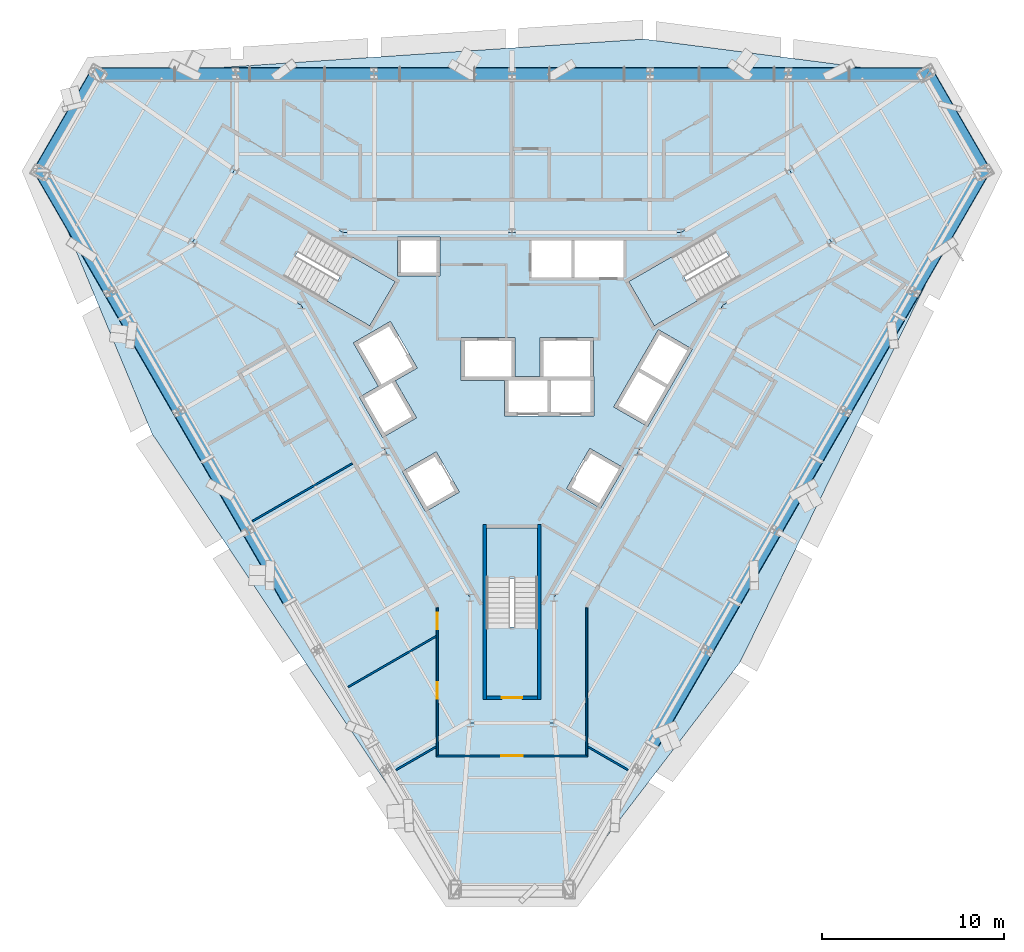
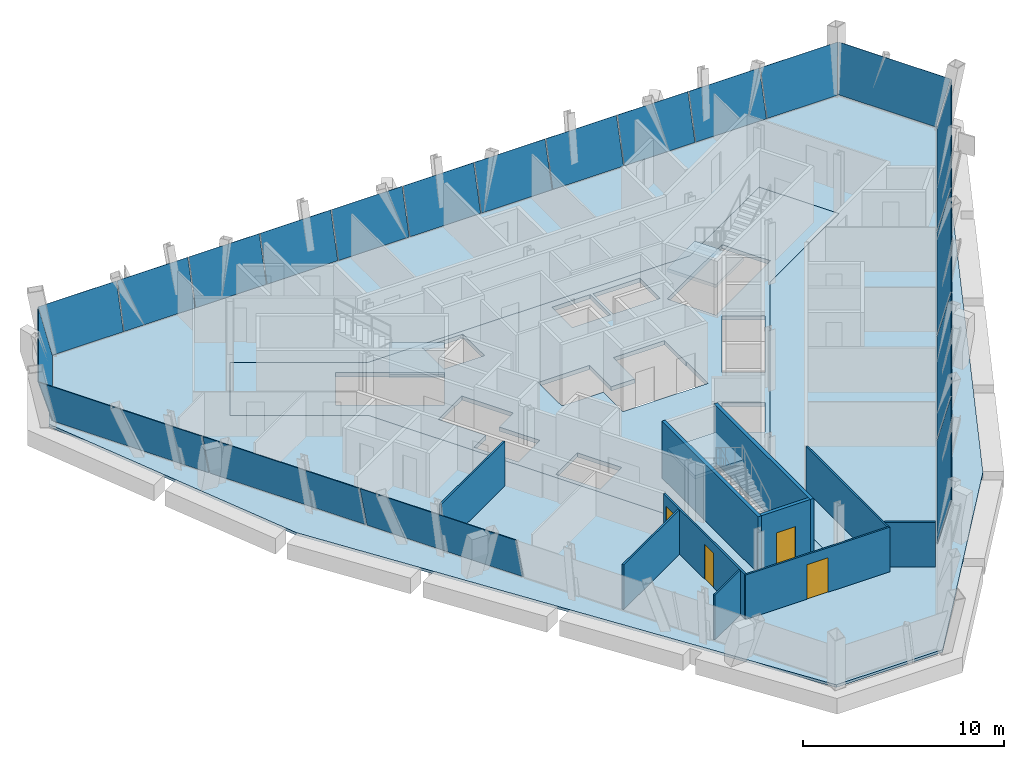
# One storey, part 5 of 11: 20 plates, 10 walls, 5 slabs, 4 doors, 4 openings, 8 elements without a shape of their own.
"""IFC4 building model written with IfcOpenShell, lengths in metres."""

from ifc_helpers import new_model, si_unit, direction, frame, frame_2d, origin, place, context, subcontext, project, spatial, polyline, rectangle, outline, extrude, material, layer, layer_set, type_object, element, fill, aggregate, save


model = new_model("IFC4")

# Units and contexts
model_context = context("Model", 3, precision=1e-05, world=origin(), true_north=direction((0.0, 1.0)))
body_context = subcontext(model_context, "Body", "Model", "MODEL_VIEW")
ifc_project = project(units=[si_unit("LENGTHUNIT", "METRE"), si_unit("AREAUNIT", "SQUARE_METRE"), si_unit("VOLUMEUNIT", "CUBIC_METRE"), si_unit("PLANEANGLEUNIT", "RADIAN"), si_unit("MASSUNIT", "GRAM", prefix="KILO")], contexts=[model_context])

# Site, building, storey
site_placement = place(None, origin())
site = spatial("IfcSite", under=ifc_project, at=site_placement, CompositionType="ELEMENT")
building_placement = place(site_placement, origin())
building = spatial("IfcBuilding", under=site, at=building_placement, Name="Verrane Prism Tower", CompositionType="ELEMENT")
storey_placement = place(building_placement, frame((0.0, 0.0, 156.199951171875)))
storey = spatial("IfcBuildingStorey", under=building, at=storey_placement, Name="L38", CompositionType="ELEMENT", Elevation=156.199951171875)

# Slabs
ifc_material_1 = material(Name="Concrete C35/45", Category="concrete")
ifc_layer_1 = layer(ifc_material_1, 0.159912109375)
ifc_layer_set_1 = layer_set([ifc_layer_1], Name="Composite floor slab")
slab_type_1 = type_object("IfcSlabType", Name="Composite floor slab", PredefinedType="FLOOR", material=ifc_layer_set_1)
slab_1_placement = place(storey_placement, frame((0.0, 0.0, -0.159912109375)))
element("IfcSlab", 1, at=slab_1_placement, inside=storey, type_object=slab_type_1, Name="Floor slab L38", PredefinedType="FLOOR", context=body_context, shape_type="SweptSolid", body=[
    extrude(outline(polyline([(12.493896484375, -15.580078125), (3.06298828125, -27.914794921875), (-3.06298828125, -27.914794921875), (-19.73974609375, -3.02978515625), (-25.706298828125, 11.3046875), (-22.643310546875, 16.610107421875), (7.245849609375, 18.610107421875), (22.643310546875, 16.610107421875), (25.706298828125, 11.3046875), (12.493896484375, -15.580078125)]), holes=[polyline([(17.52001953125, 7.4599609375), (15.219970703125, 11.43994140625), (9.260009765625, 8.0), (0.0, 8.0), (-9.260009765625, 8.0), (-15.219970703125, 11.43994140625), (-17.52001953125, 7.4599609375), (-11.56005859375, 4.02001953125), (-6.929931640625, -4.0), (-2.300048828125, -12.02001953125), (-2.300048828125, -18.89990234375), (2.300048828125, -18.89990234375), (2.300048828125, -12.02001953125), (6.929931640625, -4.0), (11.56005859375, 4.02001953125), (17.52001953125, 7.4599609375)])]), origin(), (0.0, 0.0, 1.0), 0.159912109375),
])
ifc_material_2 = material(Name="Concrete C40/50", Category="concrete")
ifc_layer_2 = layer(ifc_material_2, 0.25)
ifc_layer_set_2 = layer_set([ifc_layer_2], Name="Core floor slab 250 concrete C40/50")
slab_type_2 = type_object("IfcSlabType", Name="Core floor slab 250 concrete C40/50", PredefinedType="FLOOR", material=ifc_layer_set_2)
slab_2_placement = place(storey_placement, frame((0.0, 0.0, -0.25)))
element("IfcSlab", 2, at=slab_2_placement, inside=storey, type_object=slab_type_2, Name="Core floor L38", PredefinedType="FLOOR", context=body_context, shape_type="SweptSolid", body=[
    extrude(outline(polyline([(11.56005859375, 4.02001953125), (17.52001953125, 7.4599609375), (15.219970703125, 11.43994140625), (9.260009765625, 8.0), (0.0, 8.0), (-9.260009765625, 8.0), (-15.219970703125, 11.43994140625), (-17.52001953125, 7.4599609375), (-11.56005859375, 4.02001953125), (-6.929931640625, -4.0), (-2.300048828125, -12.02001953125), (-2.300048828125, -18.89990234375), (2.300048828125, -18.89990234375), (2.300048828125, -12.02001953125), (6.929931640625, -4.0), (11.56005859375, 4.02001953125)]), holes=[polyline([(1.39990234375, -8.199951171875), (1.39990234375, -13.639892578125), (-1.39990234375, -13.639892578125), (-1.39990234375, -8.199951171875), (1.39990234375, -8.199951171875)]), polyline([(-2.881103515625, -6.22998046875), (-4.742919921875, -7.304931640625), (-6.01806640625, -5.096923828125), (-4.156005859375, -4.02197265625), (-2.881103515625, -6.22998046875)]), polyline([(-7.801025390625, 2.887939453125), (-12.512939453125, 5.60791015625), (-11.113037109375, 8.031982421875), (-6.40087890625, 5.31201171875), (-7.801025390625, 2.887939453125)]), polyline([(-6.284912109375, 5.610107421875), (-6.284912109375, 7.760009765625), (-3.93505859375, 7.760009765625), (-3.93505859375, 5.610107421875), (-6.284912109375, 5.610107421875)]), polyline([(4.26611328125, -3.8310546875), (6.1279296875, -4.906005859375), (4.85302734375, -7.114990234375), (2.990966796875, -6.0400390625), (4.26611328125, -3.8310546875)]), polyline([(7.43798828125, -2.636962890625), (5.575927734375, -1.56201171875), (8.02587890625, 2.680908203125), (9.887939453125, 1.60595703125), (7.43798828125, -2.636962890625)]), polyline([(0.1650390625, 0.10009765625), (1.52490234375, 0.10009765625), (1.52490234375, 2.25), (4.47509765625, 2.25), (4.47509765625, 0.10009765625), (4.4951171875, 0.10009765625), (4.4951171875, -2.050048828125), (-0.405029296875, -2.050048828125), (-0.405029296875, -0.10009765625), (-2.784912109375, -0.10009765625), (-2.784912109375, 2.25), (0.1650390625, 2.25), (0.1650390625, 0.10009765625)]), polyline([(6.40087890625, 5.31201171875), (11.113037109375, 8.031982421875), (12.512939453125, 5.60791015625), (7.801025390625, 2.887939453125), (6.40087890625, 5.31201171875)]), polyline([(1.074951171875, 5.534912109375), (1.074951171875, 7.56005859375), (3.264892578125, 7.56005859375), (3.264892578125, 5.534912109375), (1.074951171875, 5.534912109375)]), polyline([(3.4150390625, 7.56005859375), (6.125, 7.56005859375), (6.125, 5.534912109375), (3.4150390625, 5.534912109375), (3.4150390625, 7.56005859375)]), polyline([(-5.23095703125, -2.159912109375), (-7.093017578125, -3.235107421875), (-8.367919921875, -1.02587890625), (-7.3291015625, -0.426025390625), (-8.7041015625, 1.955078125), (-6.66796875, 3.1298828125), (-5.193115234375, 0.574951171875), (-6.406005859375, -0.125), (-5.23095703125, -2.159912109375)])]), origin(), (0.0, 0.0, 1.0), 0.25),
])

# Curtain wall, plates
ifc_material_3 = material(Name="Aluminium framed insulated glazing", Category="aluminium")
curtain_wall_type_1 = type_object("IfcCurtainWallType", Name="Curtain wall CW-C 4200 module", PredefinedType="NOTDEFINED", material=ifc_material_3)
curtain_wall_1_placement = place(storey_placement, origin())
curtain_wall_1 = element("IfcCurtainWall", 3, at=curtain_wall_1_placement, inside=storey, type_object=curtain_wall_type_1, Name="Glazed curtain wall north face L38", PredefinedType="NOTDEFINED")
ifc_material_4 = material(Name="Low-iron insulating glass unit", Category="glass")
ifc_layer_3 = layer(ifc_material_4, 0.02392578125)
ifc_layer_set_3 = layer_set([ifc_layer_3], Name="Glazing panel IGU 24")
plate_type_1 = type_object("IfcPlateType", Name="Glazing panel IGU 24", PredefinedType="CURTAIN_PANEL", material=ifc_layer_set_3)
plate_1_placement = place(storey_placement, frame((22.549560546875, 16.3310546875, 0.050048828125), z_axis=(0.0, -0.967145712681, 0.254222678854), x_axis=(-1.0, 0.0, 0.0)))
plate_1 = element("IfcPlate", 4, at=plate_1_placement, type_object=plate_type_1, Name="CW36.2 panel 1", PredefinedType="CURTAIN_PANEL", context=body_context, shape_type="SweptSolid", body=[
    extrude(outline(polyline([(0.0, 0.0), (4.033935546875, 0.0), (4.033935546875, -2.753299489375187), (-0.429443359375, -2.753299489375187), (0.0, 0.0)])), origin(), (0.0, 0.0, -1.0), 0.02392578125),
])
plate_2_placement = place(storey_placement, frame((18.465576171875, 16.3310546875, 0.050048828125), z_axis=(0.0, -0.967145712681, 0.254222678854), x_axis=(-1.0, 0.0, 0.0)))
plate_2 = element("IfcPlate", 5, at=plate_2_placement, type_object=plate_type_1, Name="CW36.2 panel 2", PredefinedType="CURTAIN_PANEL", context=body_context, shape_type="SweptSolid", body=[
    extrude(outline(polyline([(0.0, 0.0), (4.05908203125, 0.0), (4.05908203125, -2.7532994893751868), (0.0, -2.7532994893751868), (0.0, 0.0)])), origin(), (0.0, 0.0, -1.0), 0.02392578125),
])
plate_3_placement = place(storey_placement, frame((14.3564453125, 16.3310546875, 0.050048828125), z_axis=(0.0, -0.967145712681, 0.254222678854), x_axis=(-1.0, 0.0, 0.0)))
plate_3 = element("IfcPlate", 6, at=plate_3_placement, type_object=plate_type_1, Name="CW36.2 panel 3", PredefinedType="CURTAIN_PANEL", context=body_context, shape_type="SweptSolid", body=[
    extrude(outline(polyline([(0.0, 0.0), (4.058837890625, 0.0), (4.058837890625, -2.753299489375187), (0.0, -2.753299489375187), (0.0, 0.0)])), origin(), (0.0, 0.0, -1.0), 0.02392578125),
])
plate_4_placement = place(storey_placement, frame((10.24755859375, 16.3310546875, 0.050048828125), z_axis=(0.0, -0.967145712681, 0.254222678854), x_axis=(-1.0, 0.0, 0.0)))
plate_4 = element("IfcPlate", 7, at=plate_4_placement, type_object=plate_type_1, Name="CW36.2 panel 4", PredefinedType="CURTAIN_PANEL", context=body_context, shape_type="SweptSolid", body=[
    extrude(outline(polyline([(0.0, 0.0), (4.05908203125, 0.0), (4.05908203125, -2.7532994893751868), (0.0, -2.7532994893751868), (0.0, 0.0)])), origin(), (0.0, 0.0, -1.0), 0.02392578125),
])
plate_5_placement = place(storey_placement, frame((6.138427734375, 16.3310546875, 0.050048828125), z_axis=(0.0, -0.967145712681, 0.254222678854), x_axis=(-1.0, 0.0, 0.0)))
plate_5 = element("IfcPlate", 8, at=plate_5_placement, type_object=plate_type_1, Name="CW36.2 panel 5", PredefinedType="CURTAIN_PANEL", context=body_context, shape_type="SweptSolid", body=[
    extrude(outline(polyline([(0.0, 0.0), (4.058837890625, 0.0), (4.058837890625, -2.753299489375187), (0.0, -2.753299489375187), (0.0, 0.0)])), origin(), (0.0, 0.0, -1.0), 0.02392578125),
])
plate_6_placement = place(storey_placement, frame((2.029541015625, 16.3310546875, 0.050048828125), z_axis=(0.0, -0.967145712681, 0.254222678854), x_axis=(-1.0, 0.0, 0.0)))
plate_6 = element("IfcPlate", 9, at=plate_6_placement, type_object=plate_type_1, Name="CW36.2 panel 6", PredefinedType="CURTAIN_PANEL", context=body_context, shape_type="SweptSolid", body=[
    extrude(outline(polyline([(0.0, 0.0), (4.05908203125, 0.0), (4.05908203125, -2.7532994893751868), (0.0, -2.7532994893751868), (0.0, 0.0)])), origin(), (0.0, 0.0, -1.0), 0.02392578125),
])
plate_7_placement = place(storey_placement, frame((-2.07958984375, 16.3310546875, 0.050048828125), z_axis=(0.0, -0.967145712681, 0.254222678854), x_axis=(-1.0, 0.0, 0.0)))
plate_7 = element("IfcPlate", 10, at=plate_7_placement, type_object=plate_type_1, Name="CW36.2 panel 7", PredefinedType="CURTAIN_PANEL", context=body_context, shape_type="SweptSolid", body=[
    extrude(outline(polyline([(0.0, 0.0), (4.058837890625, 0.0), (4.058837890625, -2.753299489375187), (0.0, -2.753299489375187), (0.0, 0.0)])), origin(), (0.0, 0.0, -1.0), 0.02392578125),
])
plate_8_placement = place(storey_placement, frame((-6.1884765625, 16.3310546875, 0.050048828125), z_axis=(0.0, -0.967145712681, 0.254222678854), x_axis=(-1.0, 0.0, 0.0)))
plate_8 = element("IfcPlate", 11, at=plate_8_placement, type_object=plate_type_1, Name="CW36.2 panel 8", PredefinedType="CURTAIN_PANEL", context=body_context, shape_type="SweptSolid", body=[
    extrude(outline(polyline([(0.0, 0.0), (4.05908203125, 0.0), (4.05908203125, -2.7532994893751868), (0.0, -2.7532994893751868), (0.0, 0.0)])), origin(), (0.0, 0.0, -1.0), 0.02392578125),
])
plate_9_placement = place(storey_placement, frame((-10.297607421875, 16.3310546875, 0.050048828125), z_axis=(0.0, -0.967145712681, 0.254222678854), x_axis=(-1.0, 0.0, 0.0)))
plate_9 = element("IfcPlate", 12, at=plate_9_placement, type_object=plate_type_1, Name="CW36.2 panel 9", PredefinedType="CURTAIN_PANEL", context=body_context, shape_type="SweptSolid", body=[
    extrude(outline(polyline([(0.0, 0.0), (4.058837890625, 0.0), (4.058837890625, -2.753299489375187), (0.0, -2.753299489375187), (0.0, 0.0)])), origin(), (0.0, 0.0, -1.0), 0.02392578125),
])
plate_10_placement = place(storey_placement, frame((-14.406494140625, 16.3310546875, 0.050048828125), z_axis=(0.0, -0.967145712681, 0.254222678854), x_axis=(-1.0, 0.0, 0.0)))
plate_10 = element("IfcPlate", 13, at=plate_10_placement, type_object=plate_type_1, Name="CW36.2 panel 10", PredefinedType="CURTAIN_PANEL", context=body_context, shape_type="SweptSolid", body=[
    extrude(outline(polyline([(0.0, 0.0), (4.05908203125, 0.0), (4.05908203125, -2.7532994893751868), (0.0, -2.7532994893751868), (0.0, 0.0)])), origin(), (0.0, 0.0, -1.0), 0.02392578125),
])
plate_11_placement = place(storey_placement, frame((-18.515625, 16.3310546875, 0.050048828125), z_axis=(0.0, -0.967145712681, 0.254222678854), x_axis=(-1.0, 0.0, 0.0)))
plate_11 = element("IfcPlate", 14, at=plate_11_placement, type_object=plate_type_1, Name="CW36.2 panel 11", PredefinedType="CURTAIN_PANEL", context=body_context, shape_type="SweptSolid", body=[
    extrude(outline(polyline([(0.0, 0.0), (4.083984375, 0.0), (4.48828125, -2.753299489375187), (0.0, -2.753299489375187), (0.0, 0.0)])), origin(), (0.0, 0.0, -1.0), 0.02392578125),
])
aggregate(curtain_wall_1, [plate_1, plate_2, plate_3, plate_4, plate_5, plate_6, plate_7, plate_8, plate_9, plate_10, plate_11])

# Curtain wall, plate
ifc_material_5 = material(Name="Aluminium framed insulated glazing", Category="aluminium")
curtain_wall_type_2 = type_object("IfcCurtainWallType", Name="Curtain wall CW-A 8400 module", PredefinedType="NOTDEFINED", material=ifc_material_5)
curtain_wall_2_placement = place(storey_placement, origin())
curtain_wall_2 = element("IfcCurtainWall", 15, at=curtain_wall_2_placement, inside=storey, type_object=curtain_wall_type_2, Name="Glazed curtain wall north-east corner L38", PredefinedType="NOTDEFINED")
ifc_material_6 = material(Name="Low-iron insulating glass unit", Category="glass")
ifc_layer_4 = layer(ifc_material_6, 0.031982421875)
ifc_layer_set_4 = layer_set([ifc_layer_4], Name="Glazing panel IGU 32")
plate_type_2 = type_object("IfcPlateType", Name="Glazing panel IGU 32", PredefinedType="CURTAIN_PANEL", material=ifc_layer_set_4)
plate_12_placement = place(storey_placement, frame((25.407958984375, 11.467041015625, 0.070068359375), z_axis=(-0.837129548776, -0.483348705058, 0.256101831084), x_axis=(-0.500023970549, 0.866011563935, 2.839304e-06)))
plate_12 = element("IfcPlate", 16, at=plate_12_placement, type_object=plate_type_2, Name="CW36.1 panel 1", PredefinedType="CURTAIN_PANEL", context=body_context, shape_type="SweptSolid", body=[
    extrude(outline(polyline([(0.0, 0.0), (5.616534209348884, -1.1102230246251565e-16), (6.020549393440063, -2.7339840637746278), (-0.43898187970335245, -2.7340195343447427), (0.0, 0.0)])), origin(), (0.0, 0.0, -1.0), 0.031982421875),
])
aggregate(curtain_wall_2, [plate_12])

curtain_wall_3_placement = place(storey_placement, origin())
curtain_wall_3 = element("IfcCurtainWall", 17, at=curtain_wall_3_placement, inside=storey, type_object=curtain_wall_type_2, Name="Glazed curtain wall north-west corner L38", PredefinedType="NOTDEFINED")
plate_13_placement = place(storey_placement, frame((-22.634521484375, 16.270263671875, 0.070068359375), z_axis=(0.837136554419, -0.483321924128, 0.256129472949), x_axis=(-0.500001622741, -0.866024466883, 3.997936e-06)))
plate_13 = element("IfcPlate", 18, at=plate_13_placement, type_object=plate_type_2, Name="CW36.3 panel 1", PredefinedType="CURTAIN_PANEL", context=body_context, shape_type="SweptSolid", body=[
    extrude(outline(polyline([(0.0, 0.0), (5.616534209009844, 0.0), (6.020509459518406, -2.7339975617317878), (-0.43911117070694294, -2.7340475074887145), (0.0, 0.0)])), origin(), (0.0, 0.0, -1.0), 0.031982421875),
])
aggregate(curtain_wall_3, [plate_13])

# Curtain wall, plates
curtain_wall_4_placement = place(storey_placement, origin())
curtain_wall_4 = element("IfcCurtainWall", 19, at=curtain_wall_4_placement, inside=storey, type_object=curtain_wall_type_2, Name="Glazed curtain wall south-west face L38", PredefinedType="NOTDEFINED")
plate_14_placement = place(storey_placement, frame((-25.407958984375, 11.345703125, 0.070068359375), z_axis=(0.837151187272, 0.483340188466, 0.256047167263), x_axis=(0.50000839448, -0.866020557175, -3.19331e-07)))
plate_14 = element("IfcPlate", 20, at=plate_14_placement, type_object=plate_type_2, Name="CW36.4 panel 1", PredefinedType="CURTAIN_PANEL", context=body_context, shape_type="SweptSolid", body=[
    extrude(outline(polyline([(0.0, 0.0), (8.934889929123313, -1.1102230246251565e-16), (8.934975177837712, -2.733963743356176), (-0.4394004943685073, -2.733957695007777), (0.0, 0.0)])), origin(), (0.0, 0.0, -1.0), 0.031982421875),
])
plate_15_placement = place(storey_placement, frame((-20.905517578125, 3.54736328125, 0.070068359375), z_axis=(0.837167083777, 0.483340758129, 0.255994111987), x_axis=(0.500000587401, -0.866025064636, 4.600333e-06)))
plate_15 = element("IfcPlate", 21, at=plate_15_placement, type_object=plate_type_2, Name="CW36.4 panel 2", PredefinedType="CURTAIN_PANEL", context=body_context, shape_type="SweptSolid", body=[
    extrude(outline(polyline([(0.0, 0.0), (8.96998591850679, 0.0), (8.970001118286099, -2.733878363714257), (0.00010456122394630919, -2.7339637379564508), (0.0, 0.0)])), origin(), (0.0, 0.0, -1.0), 0.031982421875),
])
plate_16_placement = place(storey_placement, frame((-16.385498046875, -4.281494140625, 0.070068359375), z_axis=(0.837165988783, 0.483334565779, 0.256009384102), x_axis=(0.499997328569, -0.86602694613, 0.0)))
plate_16 = element("IfcPlate", 22, at=plate_16_placement, type_object=plate_type_2, Name="CW36.4 panel 3", PredefinedType="CURTAIN_PANEL", context=body_context, shape_type="SweptSolid", body=[
    extrude(outline(polyline([(0.0, 0.0), (8.969774486764665, 1.1102230246251565e-16), (8.969658091981337, -2.7339324895310253), (-0.00011639478332775566, -2.7339324895310253), (0.0, 0.0)])), origin(), (0.0, 0.0, -1.0), 0.031982421875),
])
aggregate(curtain_wall_4, [plate_14, plate_15, plate_16])

curtain_wall_5_placement = place(storey_placement, origin())
curtain_wall_5 = element("IfcCurtainWall", 23, at=curtain_wall_5_placement, inside=storey, type_object=curtain_wall_type_2, Name="Glazed curtain wall south-east face L38", PredefinedType="NOTDEFINED")
plate_17_placement = place(storey_placement, frame((7.380615234375, -19.878173828125, 0.070068359375), z_axis=(-0.837142433114, 0.483334121174, 0.256087239021), x_axis=(0.500008204657, 0.866020666767, 2.917494e-06)))
plate_17 = element("IfcPlate", 24, at=plate_17_placement, type_object=plate_type_2, Name="CW36.6 panel 2", PredefinedType="CURTAIN_PANEL", context=body_context, shape_type="SweptSolid", body=[
    extrude(outline(polyline([(0.0, 0.0), (8.969896558334726, 2.220446049250313e-16), (8.969818022662752, -2.733963741670129), (4.3536643615106575e-05, -2.7340178860625515), (0.0, 0.0)])), origin(), (0.0, 0.0, -1.0), 0.031982421875),
])
plate_18_placement = place(storey_placement, frame((11.900634765625, -12.049560546875, 0.070068359375), z_axis=(-0.837164492654, 0.483326106827, 0.256030245672), x_axis=(0.49999182203, 0.866030125285, 1.68407e-06)))
plate_18 = element("IfcPlate", 25, at=plate_18_placement, type_object=plate_type_2, Name="CW36.6 panel 3", PredefinedType="CURTAIN_PANEL", context=body_context, shape_type="SweptSolid", body=[
    extrude(outline(polyline([(0.0, 0.0), (8.969774486570625, 0.0), (8.969890881742035, -2.7339324888943852), (-9.503796464744892e-05, -2.7339637424195002), (0.0, 0.0)])), origin(), (0.0, 0.0, -1.0), 0.031982421875),
])
plate_19_placement = place(storey_placement, frame((16.420654296875, -4.220947265625, 0.070068359375), z_axis=(-0.837164492654, 0.483326106827, 0.256030245672), x_axis=(0.499991049471, 0.866030571311, -1.68403e-06)))
plate_19 = element("IfcPlate", 26, at=plate_19_placement, type_object=plate_type_2, Name="CW36.6 panel 4", PredefinedType="CURTAIN_PANEL", context=body_context, shape_type="SweptSolid", body=[
    extrude(outline(polyline([(0.0, 0.0), (8.969985919761129, 1.1102230246251565e-16), (8.969881356028521, -2.733963742071771), (0.00010686951234096467, -2.7339324892833385), (0.0, 0.0)])), origin(), (0.0, 0.0, -1.0), 0.031982421875),
])
plate_20_placement = place(storey_placement, frame((20.9404296875, 3.60791015625, 0.070068359375), z_axis=(-0.83714508601, 0.48333949737, 0.256068419084), x_axis=(0.500010198696, 0.866019515483, -1.392332e-06)))
plate_20 = element("IfcPlate", 27, at=plate_20_placement, type_object=plate_type_2, Name="CW36.6 panel 5", PredefinedType="CURTAIN_PANEL", context=body_context, shape_type="SweptSolid", body=[
    extrude(outline(polyline([(0.0, 0.0), (9.00478111521518, 0.0), (9.409293987675893, -2.733990265791607), (-8.831392542538794e-05, -2.7339637428431613), (0.0, 0.0)])), origin(), (0.0, 0.0, -1.0), 0.031982421875),
])
aggregate(curtain_wall_5, [plate_17, plate_18, plate_19, plate_20])

# Stair, slab
ifc_material_7 = material(Name="Concrete C40/50", Category="concrete")
stair_type = type_object("IfcStairType", Name="Exit stair 1300 dog-leg precast concrete C40/50", PredefinedType="HALF_TURN_STAIR", material=ifc_material_7)
stair_1_placement = place(storey_placement, origin())
stair_1 = element("IfcStair", 28, at=stair_1_placement, inside=storey, type_object=stair_type, Name="Stair 1 L38", PredefinedType="HALF_TURN_STAIR")
ifc_material_8 = material(Name="Concrete C40/50", Category="concrete")
ifc_layer_5 = layer(ifc_material_8, 0.199951171875)
ifc_layer_set_5 = layer_set([ifc_layer_5], Name="Stair landing 200 precast concrete C40/50")
slab_type_3 = type_object("IfcSlabType", Name="Stair landing 200 precast concrete C40/50", PredefinedType="LANDING", material=ifc_layer_set_5)
slab_3_placement = place(storey_placement, frame((0.0, 0.0, 1.650146484375)))
slab_3 = element("IfcSlab", 29, at=slab_3_placement, type_object=slab_type_3, Name="Stair 1 landing 1", PredefinedType="LANDING", context=body_context, shape_type="SweptSolid", body=[
    extrude(outline(polyline([(8.791748046875, 6.6923828125), (6.4013671875, 5.3125), (7.801513671875, 2.887451171875), (10.191650390625, 4.267578125), (8.791748046875, 6.6923828125)])), origin(), (0.0, 0.0, 1.0), 0.199951171875),
])
aggregate(stair_1, [slab_3])

stair_2_placement = place(storey_placement, origin())
stair_2 = element("IfcStair", 30, at=stair_2_placement, inside=storey, type_object=stair_type, Name="Stair 2 L38", PredefinedType="HALF_TURN_STAIR")
slab_4_placement = place(storey_placement, frame((0.0, 0.0, 1.650146484375)))
slab_4 = element("IfcSlab", 31, at=slab_4_placement, type_object=slab_type_3, Name="Stair 2 landing 1", PredefinedType="LANDING", context=body_context, shape_type="SweptSolid", body=[
    extrude(outline(polyline([(-10.191650390625, 4.267578125), (-7.801513671875, 2.887451171875), (-6.4013671875, 5.3125), (-8.791748046875, 6.6923828125), (-10.191650390625, 4.267578125)])), origin(), (0.0, 0.0, 1.0), 0.199951171875),
])
aggregate(stair_2, [slab_4])

stair_3_placement = place(storey_placement, origin())
stair_3 = element("IfcStair", 32, at=stair_3_placement, inside=storey, type_object=stair_type, Name="Stair 3 L38", PredefinedType="HALF_TURN_STAIR")
slab_5_placement = place(storey_placement, frame((0.0, 0.0, 1.650146484375)))
slab_5 = element("IfcSlab", 33, at=slab_5_placement, type_object=slab_type_3, Name="Stair 3 landing 1", PredefinedType="LANDING", context=body_context, shape_type="SweptSolid", body=[
    extrude(outline(polyline([(1.39990234375, -10.9599609375), (1.39990234375, -8.199951171875), (-1.39990234375, -8.199951171875), (-1.39990234375, -10.9599609375), (1.39990234375, -10.9599609375)])), origin(), (0.0, 0.0, 1.0), 0.199951171875),
])
aggregate(stair_3, [slab_5])

# Wall, opening, door
ifc_material_9 = material(Name="Concrete C40/50", Category="concrete")
ifc_layer_6 = layer(ifc_material_9, 0.199951171875)
ifc_layer_set_6 = layer_set([ifc_layer_6], Name="CW-200 stair core wall concrete C40/50 3 h")
wall_type_1 = type_object("IfcWallType", Name="CW-200 stair core wall concrete C40/50 3 h", PredefinedType="PARTITIONING", material=ifc_layer_set_6)
wall_1_placement = place(storey_placement, frame((-1.39990234375, -17.5, 0.0), z_axis=(0.0, 0.0, 1.0), x_axis=(1.0, 0.0, 0.0)))
wall_1 = element("IfcWall", 34, at=wall_1_placement, inside=storey, type_object=wall_type_1, Name="Stair 3 enclosure wall", PredefinedType="PARTITIONING", context=body_context, shape_type="SweptSolid", body=[
    extrude(rectangle(XDim=2.7998046875, YDim=0.199951171875, at=frame_2d((1.39990234375, 0.0))), origin(), (0.0, 0.0, 1.0), 3.449951171875),
])
opening_1_placement = place(wall_1_placement, frame((0.85009765625, 0.0, 0.0)))
opening_1 = element("IfcOpeningElement", 35, at=opening_1_placement, cuts=wall_1, Name="Opening D36502", PredefinedType="OPENING", context=body_context, shape_type="SweptSolid", body=[
    extrude(rectangle(XDim=1.10009765625, YDim=2.10009765625, at=frame_2d((0.550048828125, 1.050048828125))), frame((0.0, 0.10986328125, 0.0), z_axis=(0.0, -1.0, 0.0), x_axis=(1.0, 0.0, 0.0)), (0.0, 0.0, 1.0), 0.219970703125),
])
ifc_material_10 = material(Name="Timber veneered door leaf", Category="wood")
door_type_1 = type_object("IfcDoorType", Name="DR-1100x2100 FD90 single leaf stair", OperationType="NOTDEFINED", PredefinedType="DOOR", material=ifc_material_10)
door_1_placement = place(opening_1_placement, origin())
door_1 = element("IfcDoor", 36, at=door_1_placement, inside=storey, type_object=door_type_1, Name="Stair 3 door", OperationType="SINGLE_SWING_LEFT", OverallHeight=2.10009765625, OverallWidth=1.10009765625, PredefinedType="DOOR", context=body_context, shape_type="SweptSolid", body=[
    extrude(rectangle(XDim=1.10009765625, YDim=2.10009765625, at=frame_2d((0.550048828125, 1.050048828125))), frame((0.0, 0.02490234375, 0.0), z_axis=(0.0, -1.0, 0.0), x_axis=(1.0, 0.0, 0.0)), (0.0, 0.0, 1.0), 0.050048828125),
])
fill(opening_1, door_1)

# Walls
for number, where, z_axis, x_axis, name in (
    (37, (1.5, -8.0, 0.0), (0.0, 0.0, 1.0), (0.0, -1.0, 0.0), "Stair 3 enclosure wall"),
    (38, (-1.5, -8.0, 0.0), (0.0, 0.0, 1.0), (0.0, -1.0, 0.0), "Stair 3 enclosure wall"),
):
    element("IfcWall", number, at=place(storey_placement, frame(where, z_axis=z_axis, x_axis=x_axis)), inside=storey, type_object=wall_type_1, Name=name, PredefinedType="PARTITIONING", context=body_context, shape_type="SweptSolid", body=[
        extrude(rectangle(XDim=9.60009765625, YDim=0.199951171875, at=frame_2d((4.800048828125, 0.0))), origin(), (0.0, 0.0, 1.0), 3.449951171875),
    ])
ifc_material_11 = material(Name="Gypsum board partition", Category="other")
ifc_layer_7 = layer(ifc_material_11, 0.10009765625)
ifc_layer_set_7 = layer_set([ifc_layer_7], Name="PW-100 room partition")
wall_type_2 = type_object("IfcWallType", Name="PW-100 room partition", PredefinedType="PARTITIONING", material=ifc_layer_set_7)
wall_2_placement = place(storey_placement, frame((-14.23046875, -7.82275390625, 0.0), z_axis=(0.0, 0.0, 1.0), x_axis=(0.866021249958, 0.50000719457, 0.0)))
element("IfcWall", 39, at=wall_2_placement, inside=storey, type_object=wall_type_2, Name="Room partition 010", PredefinedType="PARTITIONING", context=body_context, shape_type="SweptSolid", body=[
    extrude(rectangle(XDim=6.33349609375, YDim=0.10009765625, at=frame_2d((3.166748046875, 0.0))), origin(), (0.0, 0.0, 1.0), 2.713134765625),
])
wall_3_placement = place(storey_placement, frame((-8.979248046875, -16.917724609375, 0.0), z_axis=(0.0, 0.0, 1.0), x_axis=(0.866046339293, 0.499963736882, 0.0)))
element("IfcWall", 40, at=wall_3_placement, inside=storey, type_object=wall_type_2, Name="Room partition 019", PredefinedType="PARTITIONING", context=body_context, shape_type="SweptSolid", body=[
    extrude(rectangle(XDim=5.54736328125, YDim=0.10009765625, at=frame_2d((2.773681640625, 0.0))), origin(), (0.0, 0.0, 1.0), 2.713134765625),
])
wall_4_placement = place(storey_placement, frame((-6.35400390625, -21.465087890625, 0.0), z_axis=(0.0, 0.0, 1.0), x_axis=(0.866061165757, 0.499938053331, 0.0)))
element("IfcWall", 41, at=wall_4_placement, inside=storey, type_object=wall_type_2, Name="Room partition 022", PredefinedType="PARTITIONING", context=body_context, shape_type="SweptSolid", body=[
    extrude(rectangle(XDim=2.515869140625, YDim=0.10009765625, at=frame_2d((1.2578125, 0.0))), origin(), (0.0, 0.0, 1.0), 2.713134765625),
])

# Wall, openings, doors
wall_5_placement = place(storey_placement, frame((-4.10009765625, -20.64990234375, 0.0), z_axis=(0.0, 0.0, 1.0), x_axis=(0.0, 1.0, 0.0)))
wall_5 = element("IfcWall", 42, at=wall_5_placement, inside=storey, type_object=wall_type_2, Name="Room partition 024", PredefinedType="PARTITIONING", context=body_context, shape_type="SweptSolid", body=[
    extrude(rectangle(XDim=8.06298828125, YDim=0.10009765625, at=frame_2d((4.031494140625, 0.0))), origin(), (0.0, 0.0, 1.0), 2.713134765625),
])
opening_2_placement = place(wall_5_placement, frame((6.89892578125, 0.0, 0.0)))
opening_2 = element("IfcOpeningElement", 43, at=opening_2_placement, cuts=wall_5, Name="Opening D36027", PredefinedType="OPENING", context=body_context, shape_type="SweptSolid", body=[
    extrude(rectangle(XDim=0.89990234375, YDim=2.10009765625, at=frame_2d((0.449951171875, 1.050048828125))), frame((0.0, 0.06005859375, 0.0), z_axis=(0.0, -1.0, 0.0), x_axis=(1.0, 0.0, 0.0)), (0.0, 0.0, 1.0), 0.1201171875),
])
opening_3_placement = place(wall_5_placement, frame((3.0859375, 0.0, 0.0)))
opening_3 = element("IfcOpeningElement", 44, at=opening_3_placement, cuts=wall_5, Name="Opening D36028", PredefinedType="OPENING", context=body_context, shape_type="SweptSolid", body=[
    extrude(rectangle(XDim=0.89990234375, YDim=2.10009765625, at=frame_2d((0.449951171875, 1.050048828125))), frame((0.0, 0.06005859375, 0.0), z_axis=(0.0, -1.0, 0.0), x_axis=(1.0, 0.0, 0.0)), (0.0, 0.0, 1.0), 0.1201171875),
])
ifc_material_12 = material(Name="Timber veneered door leaf", Category="wood")
door_type_2 = type_object("IfcDoorType", Name="DR-900x2100 single leaf unit", OperationType="NOTDEFINED", PredefinedType="DOOR", material=ifc_material_12)
door_2_placement = place(opening_2_placement, origin())
door_2 = element("IfcDoor", 45, at=door_2_placement, inside=storey, type_object=door_type_2, Name="Study door", OperationType="SINGLE_SWING_LEFT", OverallHeight=2.10009765625, OverallWidth=0.89990234375, PredefinedType="DOOR", context=body_context, shape_type="SweptSolid", body=[
    extrude(rectangle(XDim=0.89990234375, YDim=2.10009765625, at=frame_2d((0.449951171875, 1.050048828125))), frame((0.0, 0.02490234375, 0.0), z_axis=(0.0, -1.0, 0.0), x_axis=(1.0, 0.0, 0.0)), (0.0, 0.0, 1.0), 0.050048828125),
])
fill(opening_2, door_2)
door_3_placement = place(opening_3_placement, origin())
door_3 = element("IfcDoor", 46, at=door_3_placement, inside=storey, type_object=door_type_2, Name="Study door", OperationType="SINGLE_SWING_RIGHT", OverallHeight=2.10009765625, OverallWidth=0.89990234375, PredefinedType="DOOR", context=body_context, shape_type="SweptSolid", body=[
    extrude(rectangle(XDim=0.89990234375, YDim=2.10009765625, at=frame_2d((0.449951171875, 1.050048828125))), frame((0.0, 0.02490234375, 0.0), z_axis=(0.0, -1.0, 0.0), x_axis=(1.0, 0.0, 0.0)), (0.0, 0.0, 1.0), 0.050048828125),
])
fill(opening_3, door_3)

# Wall, opening, door
wall_6_placement = place(storey_placement, frame((4.14990234375, -20.699951171875, 0.0), z_axis=(0.0, 0.0, 1.0), x_axis=(-1.0, 0.0, 0.0)))
wall_6 = element("IfcWall", 47, at=wall_6_placement, inside=storey, type_object=wall_type_2, Name="Room partition 025", PredefinedType="PARTITIONING", context=body_context, shape_type="SweptSolid", body=[
    extrude(rectangle(XDim=8.2998046875, YDim=0.10009765625, at=frame_2d((4.14990234375, 0.0))), origin(), (0.0, 0.0, 1.0), 2.713134765625),
])
opening_4_placement = place(wall_6_placement, frame((3.550048828125, 0.0, 0.0)))
opening_4 = element("IfcOpeningElement", 48, at=opening_4_placement, cuts=wall_6, Name="Opening D36029", PredefinedType="OPENING", context=body_context, shape_type="SweptSolid", body=[
    extrude(rectangle(XDim=1.199951171875, YDim=2.10009765625, at=frame_2d((0.60009765625, 1.050048828125))), frame((0.0, 0.06005859375, 0.0), z_axis=(0.0, -1.0, 0.0), x_axis=(1.0, 0.0, 0.0)), (0.0, 0.0, 1.0), 0.1201171875),
])
ifc_material_13 = material(Name="Timber veneered door leaf", Category="wood")
door_type_3 = type_object("IfcDoorType", Name="DR-1200x2100 single leaf unit", OperationType="NOTDEFINED", PredefinedType="DOOR", material=ifc_material_13)
door_4_placement = place(opening_4_placement, origin())
door_4 = element("IfcDoor", 49, at=door_4_placement, inside=storey, type_object=door_type_3, Name="Living And Dining Room door", OperationType="SINGLE_SWING_RIGHT", OverallHeight=2.10009765625, OverallWidth=1.199951171875, PredefinedType="DOOR", context=body_context, shape_type="SweptSolid", body=[
    extrude(rectangle(XDim=1.199951171875, YDim=2.10009765625, at=frame_2d((0.60009765625, 1.050048828125))), frame((0.0, 0.02490234375, 0.0), z_axis=(0.0, -1.0, 0.0), x_axis=(1.0, 0.0, 0.0)), (0.0, 0.0, 1.0), 0.050048828125),
])
fill(opening_4, door_4)

# Walls
wall_7_placement = place(storey_placement, frame((4.10009765625, -20.64990234375, 0.0), z_axis=(0.0, 0.0, 1.0), x_axis=(0.0, 1.0, 0.0)))
element("IfcWall", 50, at=wall_7_placement, inside=storey, type_object=wall_type_2, Name="Room partition 029", PredefinedType="PARTITIONING", context=body_context, shape_type="SweptSolid", body=[
    extrude(rectangle(XDim=8.06298828125, YDim=0.10009765625, at=frame_2d((4.031494140625, 0.0))), origin(), (0.0, 0.0, 1.0), 2.713134765625),
])
wall_8_placement = place(storey_placement, frame((4.175048828125, -20.207275390625, 0.0), z_axis=(0.0, 0.0, 1.0), x_axis=(0.866061165757, -0.499938053331, 0.0)))
element("IfcWall", 51, at=wall_8_placement, inside=storey, type_object=wall_type_2, Name="Room partition 030", PredefinedType="PARTITIONING", context=body_context, shape_type="SweptSolid", body=[
    extrude(rectangle(XDim=2.515869140625, YDim=0.10009765625, at=frame_2d((1.2578125, 0.0))), origin(), (0.0, 0.0, 1.0), 2.713134765625),
])

save(model, "model.ifc")
